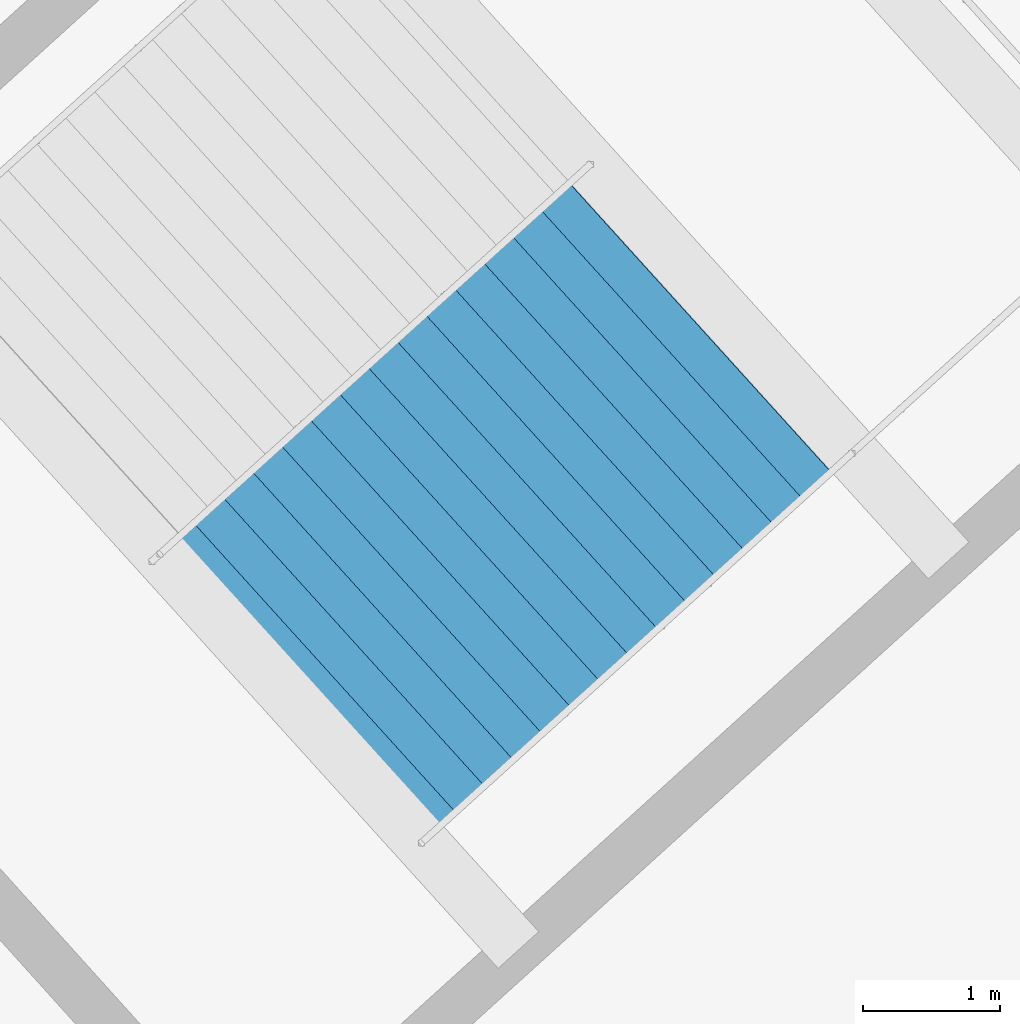
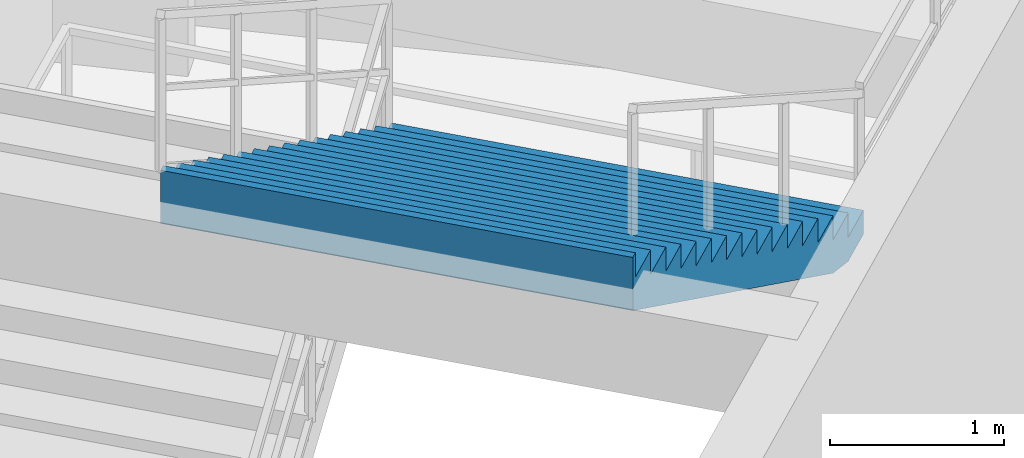
# One storey, part 154 of 162: 1 stair flight, 1 element without a shape of its own.
"""IFC4 building model written with IfcOpenShell, lengths in metres."""

from ifc_helpers import new_model, si_unit, direction, frame, origin, place, context, subcontext, project, spatial, polygons, material, type_object, element, aggregate, save


model = new_model("IFC4")

# Units and contexts
model_context = context("Model", 3, precision=1e-05, world=origin(), true_north=direction((0.0, 1.0)))
body_context = subcontext(model_context, "Body", "Model", "MODEL_VIEW")
ifc_project = project(units=[si_unit("LENGTHUNIT", "METRE"), si_unit("AREAUNIT", "SQUARE_METRE"), si_unit("VOLUMEUNIT", "CUBIC_METRE"), si_unit("PLANEANGLEUNIT", "RADIAN"), si_unit("MASSUNIT", "GRAM", prefix="KILO")], contexts=[model_context])

# Site, building, storey
site_placement = place(None, origin())
site = spatial("IfcSite", under=ifc_project, at=site_placement, CompositionType="ELEMENT")
building_placement = place(site_placement, origin())
building = spatial("IfcBuilding", under=site, at=building_placement, Name="Kazemori Nagisa Stadium", CompositionType="ELEMENT")
storey_placement = place(building_placement, frame((0.0, 0.0, 36.719970703125)))
storey = spatial("IfcBuildingStorey", under=building, at=storey_placement, Name="RF", CompositionType="ELEMENT", Elevation=36.719970703125)

# Stair, stair flight
ifc_material = material(Name="Concrete C36/45 (Fc36)", Category="concrete")
stair_type = type_object("IfcStairType", Name="Stair_CORE_32", PredefinedType="TWO_STRAIGHT_RUN_STAIR", material=ifc_material)
stair_placement = place(storey_placement, origin())
stair = element("IfcStair", 1, at=stair_placement, inside=storey, type_object=stair_type, Name="Exit stair ST04 RF", PredefinedType="TWO_STRAIGHT_RUN_STAIR")
stair_flight_type = type_object("IfcStairFlightType", Name="Flight_CORE_16", PredefinedType="STRAIGHT", material=ifc_material)
stair_flight_placement = place(storey_placement, frame((187.9541015625, 40.25390625, 2.719970703125), z_axis=(0.0, 0.0, 1.0), x_axis=(-0.741328742395, -0.671142083093, 0.0)))
stair_flight = element("IfcStairFlight", 2, at=stair_flight_placement, type_object=stair_flight_type, Name="Exit stair ST04 RF flight 2", NumberOfRisers=16, NumberOfTreads=15, PredefinedType="STRAIGHT", RiserHeight=0.17, TreadLength=0.285, context=body_context, shape_type="Tessellation", body=[
    polygons([(0.0, -1.425048828125, 0.0), (0.0, -1.425048828125, 0.169921875), (0.284912109375, -1.425048828125, 0.169921875), (0.284912109375, -1.425048828125, 0.340087890625), (0.570068359375, -1.425048828125, 0.340087890625), (0.570068359375, -1.425048828125, 0.510009765625), (0.85498046875, -1.425048828125, 0.510009765625), (0.85498046875, -1.425048828125, 0.679931640625), (1.139892578125, -1.425048828125, 0.679931640625), (1.139892578125, -1.425048828125, 0.85009765625), (1.425048828125, -1.425048828125, 0.85009765625), (1.425048828125, -1.425048828125, 1.02001953125), (1.7099609375, -1.425048828125, 1.02001953125), (1.7099609375, -1.425048828125, 1.18994140625), (1.9951171875, -1.425048828125, 1.18994140625), (1.9951171875, -1.425048828125, 1.360107421875), (2.280029296875, -1.425048828125, 1.360107421875), (2.280029296875, -1.425048828125, 1.530029296875), (2.56494140625, -1.425048828125, 1.530029296875), (2.56494140625, -1.425048828125, 1.699951171875), (2.85009765625, -1.425048828125, 1.699951171875), (2.85009765625, -1.425048828125, 1.8701171875), (3.135009765625, -1.425048828125, 1.8701171875), (3.135009765625, -1.425048828125, 2.0400390625), (3.419921875, -1.425048828125, 2.0400390625), (3.419921875, -1.425048828125, 2.2099609375), (3.705078125, -1.425048828125, 2.2099609375), (3.705078125, -1.425048828125, 2.3798828125), (3.989990234375, -1.425048828125, 2.3798828125), (3.989990234375, -1.425048828125, 2.550048828125), (4.27490234375, -1.425048828125, 2.550048828125), (4.27490234375, -1.425048828125, 2.719970703125), (4.324951171875, -1.425048828125, 2.719970703125), (4.324951171875, -1.425048828125, 2.346923828125), (4.27490234375, -1.425048828125, 2.317138671875), (3.989990234375, -1.425048828125, 2.147216796875), (3.705078125, -1.425048828125, 1.977294921875), (3.419921875, -1.425048828125, 1.80712890625), (3.135009765625, -1.425048828125, 1.63720703125), (2.85009765625, -1.425048828125, 1.46728515625), (2.56494140625, -1.425048828125, 1.297119140625), (2.280029296875, -1.425048828125, 1.127197265625), (1.9951171875, -1.425048828125, 0.957275390625), (1.7099609375, -1.425048828125, 0.787109375), (1.425048828125, -1.425048828125, 0.6171875), (1.139892578125, -1.425048828125, 0.447265625), (0.85498046875, -1.425048828125, 0.277099609375), (0.570068359375, -1.425048828125, 0.107177734375), (0.284912109375, -1.425048828125, 0.0), (0.0, -0.08544921875, 0.0), (0.0, -0.08544921875, 0.169921875), (0.284912109375, -0.08544921875, 0.169921875), (0.284912109375, -0.08544921875, 0.340087890625), (0.570068359375, -0.08544921875, 0.340087890625), (0.570068359375, -0.08544921875, 0.510009765625), (0.85498046875, -0.08544921875, 0.510009765625), (0.85498046875, -0.08544921875, 0.679931640625), (1.139892578125, -0.08544921875, 0.679931640625), (1.139892578125, -0.08544921875, 0.85009765625), (1.425048828125, -0.08544921875, 0.85009765625), (1.425048828125, -0.08544921875, 1.02001953125), (1.7099609375, -0.08544921875, 1.02001953125), (1.7099609375, -0.08544921875, 1.18994140625), (1.9951171875, -0.08544921875, 1.18994140625), (1.9951171875, -0.08544921875, 1.360107421875), (2.280029296875, -0.08544921875, 1.360107421875), (2.280029296875, -0.08544921875, 1.530029296875), (2.56494140625, -0.08544921875, 1.530029296875), (2.56494140625, -0.08544921875, 1.699951171875), (2.85009765625, -0.08544921875, 1.699951171875), (2.85009765625, -0.08544921875, 1.8701171875), (3.135009765625, -0.08544921875, 1.8701171875), (3.135009765625, -0.08544921875, 2.0400390625), (3.419921875, -0.08544921875, 2.0400390625), (3.419921875, -0.08544921875, 2.2099609375), (3.705078125, -0.08544921875, 2.2099609375), (3.705078125, -0.08544921875, 2.3798828125), (3.989990234375, -0.08544921875, 2.3798828125), (3.989990234375, -0.08544921875, 2.550048828125), (4.27490234375, -0.08544921875, 2.550048828125), (4.27490234375, -0.08544921875, 2.719970703125), (4.324951171875, -0.08544921875, 2.719970703125), (4.324951171875, -0.08544921875, 2.346923828125), (4.27490234375, -0.08544921875, 2.317138671875), (3.989990234375, -0.08544921875, 2.147216796875), (3.705078125, -0.08544921875, 1.977294921875), (3.419921875, -0.08544921875, 1.80712890625), (3.135009765625, -0.08544921875, 1.63720703125), (2.85009765625, -0.08544921875, 1.46728515625), (2.56494140625, -0.08544921875, 1.297119140625), (2.280029296875, -0.08544921875, 1.127197265625), (1.9951171875, -0.08544921875, 0.957275390625), (1.7099609375, -0.08544921875, 0.787109375), (1.425048828125, -0.08544921875, 0.6171875), (1.139892578125, -0.08544921875, 0.447265625), (0.85498046875, -0.08544921875, 0.277099609375), (0.570068359375, -0.08544921875, 0.107177734375), (0.284912109375, -0.08544921875, 0.0), (0.0, 0.0, 0.0), (0.0, 0.0, 0.169921875), (0.284912109375, 0.0, 0.169921875), (0.284912109375, 0.0, 0.340087890625), (0.570068359375, 0.0, 0.340087890625), (0.570068359375, 0.0, 0.510009765625), (0.85498046875, 0.0, 0.510009765625), (0.85498046875, 0.0, 0.679931640625), (1.139892578125, 0.0, 0.679931640625), (1.139892578125, 0.0, 0.85009765625), (1.425048828125, 0.0, 0.85009765625), (1.425048828125, 0.0, 1.02001953125), (1.7099609375, 0.0, 1.02001953125), (1.7099609375, 0.0, 1.18994140625), (1.9951171875, 0.0, 1.18994140625), (1.9951171875, 0.0, 1.360107421875), (2.280029296875, 0.0, 1.360107421875), (2.280029296875, 0.0, 1.530029296875), (2.56494140625, 0.0, 1.530029296875), (2.56494140625, 0.0, 1.699951171875), (2.85009765625, 0.0, 1.699951171875), (2.85009765625, 0.0, 1.8701171875), (3.135009765625, 0.0, 1.8701171875), (3.135009765625, 0.0, 2.0400390625), (3.419921875, 0.0, 2.0400390625), (3.419921875, 0.0, 2.2099609375), (3.705078125, 0.0, 2.2099609375), (3.705078125, 0.0, 2.3798828125), (3.989990234375, 0.0, 2.3798828125), (3.989990234375, 0.0, 2.550048828125), (4.27490234375, 0.0, 2.550048828125), (4.27490234375, 0.0, 2.719970703125), (4.324951171875, 0.0, 2.719970703125), (4.324951171875, 0.0, 2.346923828125), (4.27490234375, 0.0, 2.317138671875), (3.989990234375, 0.0, 2.147216796875), (3.705078125, 0.0, 1.977294921875), (3.419921875, 0.0, 1.80712890625), (3.135009765625, 0.0, 1.63720703125), (2.85009765625, 0.0, 1.46728515625), (2.56494140625, 0.0, 1.297119140625), (2.280029296875, 0.0, 1.127197265625), (1.9951171875, 0.0, 0.957275390625), (1.7099609375, 0.0, 0.787109375), (1.425048828125, 0.0, 0.6171875), (1.139892578125, 0.0, 0.447265625), (0.85498046875, 0.0, 0.277099609375), (0.570068359375, 0.0, 0.107177734375), (0.284912109375, 0.0, 0.0), (0.0, 0.08544921875, 0.0), (0.0, 0.08544921875, 0.169921875), (0.284912109375, 0.08544921875, 0.169921875), (0.284912109375, 0.08544921875, 0.340087890625), (0.570068359375, 0.08544921875, 0.340087890625), (0.570068359375, 0.08544921875, 0.510009765625), (0.85498046875, 0.08544921875, 0.510009765625), (0.85498046875, 0.08544921875, 0.679931640625), (1.139892578125, 0.08544921875, 0.679931640625), (1.139892578125, 0.08544921875, 0.85009765625), (1.425048828125, 0.08544921875, 0.85009765625), (1.425048828125, 0.08544921875, 1.02001953125), (1.7099609375, 0.08544921875, 1.02001953125), (1.7099609375, 0.08544921875, 1.18994140625), (1.9951171875, 0.08544921875, 1.18994140625), (1.9951171875, 0.08544921875, 1.360107421875), (2.280029296875, 0.08544921875, 1.360107421875), (2.280029296875, 0.08544921875, 1.530029296875), (2.56494140625, 0.08544921875, 1.530029296875), (2.56494140625, 0.08544921875, 1.699951171875), (2.85009765625, 0.08544921875, 1.699951171875), (2.85009765625, 0.08544921875, 1.8701171875), (3.135009765625, 0.08544921875, 1.8701171875), (3.135009765625, 0.08544921875, 2.0400390625), (3.419921875, 0.08544921875, 2.0400390625), (3.419921875, 0.08544921875, 2.2099609375), (3.705078125, 0.08544921875, 2.2099609375), (3.705078125, 0.08544921875, 2.3798828125), (3.989990234375, 0.08544921875, 2.3798828125), (3.989990234375, 0.08544921875, 2.550048828125), (4.27490234375, 0.08544921875, 2.550048828125), (4.27490234375, 0.08544921875, 2.719970703125), (4.324951171875, 0.08544921875, 2.719970703125), (4.324951171875, 0.08544921875, 2.346923828125), (4.27490234375, 0.08544921875, 2.317138671875), (3.989990234375, 0.08544921875, 2.147216796875), (3.705078125, 0.08544921875, 1.977294921875), (3.419921875, 0.08544921875, 1.80712890625), (3.135009765625, 0.08544921875, 1.63720703125), (2.85009765625, 0.08544921875, 1.46728515625), (2.56494140625, 0.08544921875, 1.297119140625), (2.280029296875, 0.08544921875, 1.127197265625), (1.9951171875, 0.08544921875, 0.957275390625), (1.7099609375, 0.08544921875, 0.787109375), (1.425048828125, 0.08544921875, 0.6171875), (1.139892578125, 0.08544921875, 0.447265625), (0.85498046875, 0.08544921875, 0.277099609375), (0.570068359375, 0.08544921875, 0.107177734375), (0.284912109375, 0.08544921875, 0.0), (0.0, 1.425048828125, 0.0), (0.0, 1.425048828125, 0.169921875), (0.284912109375, 1.425048828125, 0.169921875), (0.284912109375, 1.425048828125, 0.340087890625), (0.570068359375, 1.425048828125, 0.340087890625), (0.570068359375, 1.425048828125, 0.510009765625), (0.85498046875, 1.425048828125, 0.510009765625), (0.85498046875, 1.425048828125, 0.679931640625), (1.139892578125, 1.425048828125, 0.679931640625), (1.139892578125, 1.425048828125, 0.85009765625), (1.425048828125, 1.425048828125, 0.85009765625), (1.425048828125, 1.425048828125, 1.02001953125), (1.7099609375, 1.425048828125, 1.02001953125), (1.7099609375, 1.425048828125, 1.18994140625), (1.9951171875, 1.425048828125, 1.18994140625), (1.9951171875, 1.425048828125, 1.360107421875), (2.280029296875, 1.425048828125, 1.360107421875), (2.280029296875, 1.425048828125, 1.530029296875), (2.56494140625, 1.425048828125, 1.530029296875), (2.56494140625, 1.425048828125, 1.699951171875), (2.85009765625, 1.425048828125, 1.699951171875), (2.85009765625, 1.425048828125, 1.8701171875), (3.135009765625, 1.425048828125, 1.8701171875), (3.135009765625, 1.425048828125, 2.0400390625), (3.419921875, 1.425048828125, 2.0400390625), (3.419921875, 1.425048828125, 2.2099609375), (3.705078125, 1.425048828125, 2.2099609375), (3.705078125, 1.425048828125, 2.3798828125), (3.989990234375, 1.425048828125, 2.3798828125), (3.989990234375, 1.425048828125, 2.550048828125), (4.27490234375, 1.425048828125, 2.550048828125), (4.27490234375, 1.425048828125, 2.719970703125), (4.324951171875, 1.425048828125, 2.719970703125), (4.324951171875, 1.425048828125, 2.346923828125), (4.27490234375, 1.425048828125, 2.317138671875), (3.989990234375, 1.425048828125, 2.147216796875), (3.705078125, 1.425048828125, 1.977294921875), (3.419921875, 1.425048828125, 1.80712890625), (3.135009765625, 1.425048828125, 1.63720703125), (2.85009765625, 1.425048828125, 1.46728515625), (2.56494140625, 1.425048828125, 1.297119140625), (2.280029296875, 1.425048828125, 1.127197265625), (1.9951171875, 1.425048828125, 0.957275390625), (1.7099609375, 1.425048828125, 0.787109375), (1.425048828125, 1.425048828125, 0.6171875), (1.139892578125, 1.425048828125, 0.447265625), (0.85498046875, 1.425048828125, 0.277099609375), (0.570068359375, 1.425048828125, 0.107177734375), (0.284912109375, 1.425048828125, 0.0)], [[[1, 2, 51]], [[1, 51, 50]], [[2, 3, 52]], [[2, 52, 51]], [[3, 4, 53]], [[3, 53, 52]], [[4, 5, 54]], [[4, 54, 53]], [[5, 6, 55]], [[5, 55, 54]], [[6, 7, 56]], [[6, 56, 55]], [[7, 8, 57]], [[7, 57, 56]], [[8, 9, 58]], [[8, 58, 57]], [[9, 10, 59]], [[9, 59, 58]], [[10, 11, 60]], [[10, 60, 59]], [[11, 12, 61]], [[11, 61, 60]], [[12, 13, 62]], [[12, 62, 61]], [[13, 14, 63]], [[13, 63, 62]], [[14, 15, 64]], [[14, 64, 63]], [[15, 16, 65]], [[15, 65, 64]], [[16, 17, 66]], [[16, 66, 65]], [[17, 18, 67]], [[17, 67, 66]], [[18, 19, 68]], [[18, 68, 67]], [[19, 20, 69]], [[19, 69, 68]], [[20, 21, 70]], [[20, 70, 69]], [[21, 22, 71]], [[21, 71, 70]], [[22, 23, 72]], [[22, 72, 71]], [[23, 24, 73]], [[23, 73, 72]], [[24, 25, 74]], [[24, 74, 73]], [[25, 26, 75]], [[25, 75, 74]], [[26, 27, 76]], [[26, 76, 75]], [[27, 28, 77]], [[27, 77, 76]], [[28, 29, 78]], [[28, 78, 77]], [[29, 30, 79]], [[29, 79, 78]], [[30, 31, 80]], [[30, 80, 79]], [[31, 32, 81]], [[31, 81, 80]], [[32, 33, 82]], [[32, 82, 81]], [[33, 34, 83]], [[33, 83, 82]], [[34, 35, 84]], [[34, 84, 83]], [[35, 36, 85]], [[35, 85, 84]], [[36, 37, 86]], [[36, 86, 85]], [[37, 38, 87]], [[37, 87, 86]], [[38, 39, 88]], [[38, 88, 87]], [[39, 40, 89]], [[39, 89, 88]], [[40, 41, 90]], [[40, 90, 89]], [[41, 42, 91]], [[41, 91, 90]], [[42, 43, 92]], [[42, 92, 91]], [[43, 44, 93]], [[43, 93, 92]], [[44, 45, 94]], [[44, 94, 93]], [[45, 46, 95]], [[45, 95, 94]], [[46, 47, 96]], [[46, 96, 95]], [[47, 48, 97]], [[47, 97, 96]], [[48, 49, 98]], [[48, 98, 97]], [[49, 1, 50]], [[49, 50, 98]], [[50, 51, 100]], [[50, 100, 99]], [[51, 52, 101]], [[51, 101, 100]], [[52, 53, 102]], [[52, 102, 101]], [[53, 54, 103]], [[53, 103, 102]], [[54, 55, 104]], [[54, 104, 103]], [[55, 56, 105]], [[55, 105, 104]], [[56, 57, 106]], [[56, 106, 105]], [[57, 58, 107]], [[57, 107, 106]], [[58, 59, 108]], [[58, 108, 107]], [[59, 60, 109]], [[59, 109, 108]], [[60, 61, 110]], [[60, 110, 109]], [[61, 62, 111]], [[61, 111, 110]], [[62, 63, 112]], [[62, 112, 111]], [[63, 64, 113]], [[63, 113, 112]], [[64, 65, 114]], [[64, 114, 113]], [[65, 66, 115]], [[65, 115, 114]], [[66, 67, 116]], [[66, 116, 115]], [[67, 68, 117]], [[67, 117, 116]], [[68, 69, 118]], [[68, 118, 117]], [[69, 70, 119]], [[69, 119, 118]], [[70, 71, 120]], [[70, 120, 119]], [[71, 72, 121]], [[71, 121, 120]], [[72, 73, 122]], [[72, 122, 121]], [[73, 74, 123]], [[73, 123, 122]], [[74, 75, 124]], [[74, 124, 123]], [[75, 76, 125]], [[75, 125, 124]], [[76, 77, 126]], [[76, 126, 125]], [[77, 78, 127]], [[77, 127, 126]], [[78, 79, 128]], [[78, 128, 127]], [[79, 80, 129]], [[79, 129, 128]], [[80, 81, 130]], [[80, 130, 129]], [[81, 82, 131]], [[81, 131, 130]], [[82, 83, 132]], [[82, 132, 131]], [[83, 84, 133]], [[83, 133, 132]], [[84, 85, 134]], [[84, 134, 133]], [[85, 86, 135]], [[85, 135, 134]], [[86, 87, 136]], [[86, 136, 135]], [[87, 88, 137]], [[87, 137, 136]], [[88, 89, 138]], [[88, 138, 137]], [[89, 90, 139]], [[89, 139, 138]], [[90, 91, 140]], [[90, 140, 139]], [[91, 92, 141]], [[91, 141, 140]], [[92, 93, 142]], [[92, 142, 141]], [[93, 94, 143]], [[93, 143, 142]], [[94, 95, 144]], [[94, 144, 143]], [[95, 96, 145]], [[95, 145, 144]], [[96, 97, 146]], [[96, 146, 145]], [[97, 98, 147]], [[97, 147, 146]], [[98, 50, 99]], [[98, 99, 147]], [[99, 100, 149]], [[99, 149, 148]], [[100, 101, 150]], [[100, 150, 149]], [[101, 102, 151]], [[101, 151, 150]], [[102, 103, 152]], [[102, 152, 151]], [[103, 104, 153]], [[103, 153, 152]], [[104, 105, 154]], [[104, 154, 153]], [[105, 106, 155]], [[105, 155, 154]], [[106, 107, 156]], [[106, 156, 155]], [[107, 108, 157]], [[107, 157, 156]], [[108, 109, 158]], [[108, 158, 157]], [[109, 110, 159]], [[109, 159, 158]], [[110, 111, 160]], [[110, 160, 159]], [[111, 112, 161]], [[111, 161, 160]], [[112, 113, 162]], [[112, 162, 161]], [[113, 114, 163]], [[113, 163, 162]], [[114, 115, 164]], [[114, 164, 163]], [[115, 116, 165]], [[115, 165, 164]], [[116, 117, 166]], [[116, 166, 165]], [[117, 118, 167]], [[117, 167, 166]], [[118, 119, 168]], [[118, 168, 167]], [[119, 120, 169]], [[119, 169, 168]], [[120, 121, 170]], [[120, 170, 169]], [[121, 122, 171]], [[121, 171, 170]], [[122, 123, 172]], [[122, 172, 171]], [[123, 124, 173]], [[123, 173, 172]], [[124, 125, 174]], [[124, 174, 173]], [[125, 126, 175]], [[125, 175, 174]], [[126, 127, 176]], [[126, 176, 175]], [[127, 128, 177]], [[127, 177, 176]], [[128, 129, 178]], [[128, 178, 177]], [[129, 130, 179]], [[129, 179, 178]], [[130, 131, 180]], [[130, 180, 179]], [[131, 132, 181]], [[131, 181, 180]], [[132, 133, 182]], [[132, 182, 181]], [[133, 134, 183]], [[133, 183, 182]], [[134, 135, 184]], [[134, 184, 183]], [[135, 136, 185]], [[135, 185, 184]], [[136, 137, 186]], [[136, 186, 185]], [[137, 138, 187]], [[137, 187, 186]], [[138, 139, 188]], [[138, 188, 187]], [[139, 140, 189]], [[139, 189, 188]], [[140, 141, 190]], [[140, 190, 189]], [[141, 142, 191]], [[141, 191, 190]], [[142, 143, 192]], [[142, 192, 191]], [[143, 144, 193]], [[143, 193, 192]], [[144, 145, 194]], [[144, 194, 193]], [[145, 146, 195]], [[145, 195, 194]], [[146, 147, 196]], [[146, 196, 195]], [[147, 99, 148]], [[147, 148, 196]], [[148, 149, 198]], [[148, 198, 197]], [[149, 150, 199]], [[149, 199, 198]], [[150, 151, 200]], [[150, 200, 199]], [[151, 152, 201]], [[151, 201, 200]], [[152, 153, 202]], [[152, 202, 201]], [[153, 154, 203]], [[153, 203, 202]], [[154, 155, 204]], [[154, 204, 203]], [[155, 156, 205]], [[155, 205, 204]], [[156, 157, 206]], [[156, 206, 205]], [[157, 158, 207]], [[157, 207, 206]], [[158, 159, 208]], [[158, 208, 207]], [[159, 160, 209]], [[159, 209, 208]], [[160, 161, 210]], [[160, 210, 209]], [[161, 162, 211]], [[161, 211, 210]], [[162, 163, 212]], [[162, 212, 211]], [[163, 164, 213]], [[163, 213, 212]], [[164, 165, 214]], [[164, 214, 213]], [[165, 166, 215]], [[165, 215, 214]], [[166, 167, 216]], [[166, 216, 215]], [[167, 168, 217]], [[167, 217, 216]], [[168, 169, 218]], [[168, 218, 217]], [[169, 170, 219]], [[169, 219, 218]], [[170, 171, 220]], [[170, 220, 219]], [[171, 172, 221]], [[171, 221, 220]], [[172, 173, 222]], [[172, 222, 221]], [[173, 174, 223]], [[173, 223, 222]], [[174, 175, 224]], [[174, 224, 223]], [[175, 176, 225]], [[175, 225, 224]], [[176, 177, 226]], [[176, 226, 225]], [[177, 178, 227]], [[177, 227, 226]], [[178, 179, 228]], [[178, 228, 227]], [[179, 180, 229]], [[179, 229, 228]], [[180, 181, 230]], [[180, 230, 229]], [[181, 182, 231]], [[181, 231, 230]], [[182, 183, 232]], [[182, 232, 231]], [[183, 184, 233]], [[183, 233, 232]], [[184, 185, 234]], [[184, 234, 233]], [[185, 186, 235]], [[185, 235, 234]], [[186, 187, 236]], [[186, 236, 235]], [[187, 188, 237]], [[187, 237, 236]], [[188, 189, 238]], [[188, 238, 237]], [[189, 190, 239]], [[189, 239, 238]], [[190, 191, 240]], [[190, 240, 239]], [[191, 192, 241]], [[191, 241, 240]], [[192, 193, 242]], [[192, 242, 241]], [[193, 194, 243]], [[193, 243, 242]], [[194, 195, 244]], [[194, 244, 243]], [[195, 196, 245]], [[195, 245, 244]], [[196, 148, 197]], [[196, 197, 245]], [[3, 2, 1]], [[197, 198, 199]], [[49, 3, 1]], [[197, 199, 245]], [[48, 3, 49]], [[245, 199, 244]], [[5, 3, 48]], [[244, 199, 201]], [[5, 4, 3]], [[199, 200, 201]], [[47, 5, 48]], [[244, 201, 243]], [[7, 5, 47]], [[243, 201, 203]], [[7, 6, 5]], [[201, 202, 203]], [[46, 7, 47]], [[243, 203, 242]], [[9, 7, 46]], [[242, 203, 205]], [[9, 8, 7]], [[203, 204, 205]], [[45, 9, 46]], [[242, 205, 241]], [[11, 9, 45]], [[241, 205, 207]], [[11, 10, 9]], [[205, 206, 207]], [[44, 11, 45]], [[241, 207, 240]], [[13, 11, 44]], [[240, 207, 209]], [[13, 12, 11]], [[207, 208, 209]], [[43, 13, 44]], [[240, 209, 239]], [[15, 13, 43]], [[239, 209, 211]], [[15, 14, 13]], [[209, 210, 211]], [[42, 15, 43]], [[239, 211, 238]], [[17, 15, 42]], [[238, 211, 213]], [[17, 16, 15]], [[211, 212, 213]], [[41, 17, 42]], [[238, 213, 237]], [[19, 17, 41]], [[237, 213, 215]], [[19, 18, 17]], [[213, 214, 215]], [[40, 19, 41]], [[237, 215, 236]], [[21, 19, 40]], [[236, 215, 217]], [[21, 20, 19]], [[215, 216, 217]], [[39, 21, 40]], [[236, 217, 235]], [[23, 21, 39]], [[235, 217, 219]], [[23, 22, 21]], [[217, 218, 219]], [[38, 23, 39]], [[235, 219, 234]], [[25, 23, 38]], [[234, 219, 221]], [[25, 24, 23]], [[219, 220, 221]], [[37, 25, 38]], [[234, 221, 233]], [[27, 25, 37]], [[233, 221, 223]], [[27, 26, 25]], [[221, 222, 223]], [[36, 27, 37]], [[233, 223, 232]], [[29, 27, 36]], [[232, 223, 225]], [[29, 28, 27]], [[223, 224, 225]], [[35, 29, 36]], [[232, 225, 231]], [[31, 29, 35]], [[231, 225, 227]], [[31, 30, 29]], [[225, 226, 227]], [[34, 31, 35]], [[231, 227, 230]], [[33, 31, 34]], [[230, 227, 229]], [[33, 32, 31]], [[227, 228, 229]]], closed=True),
])
aggregate(stair, [stair_flight])

save(model, "model.ifc")
